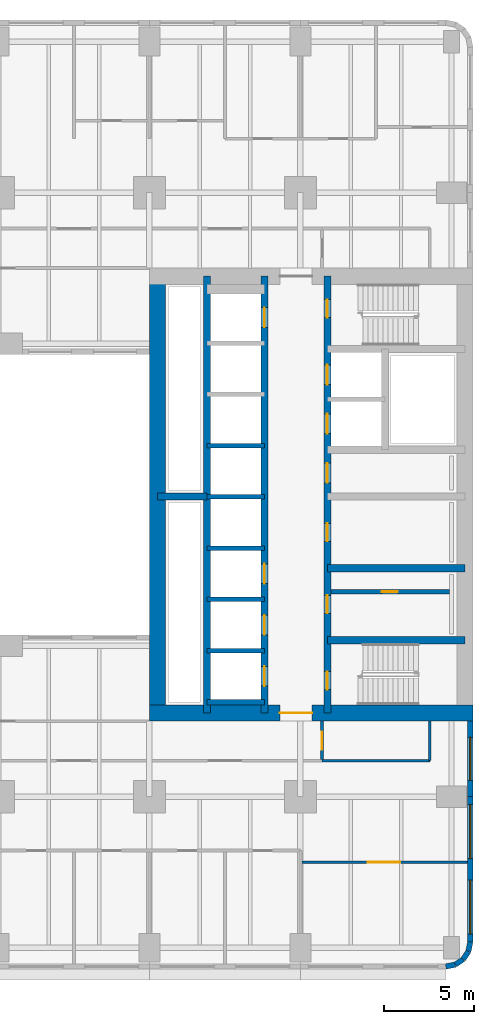
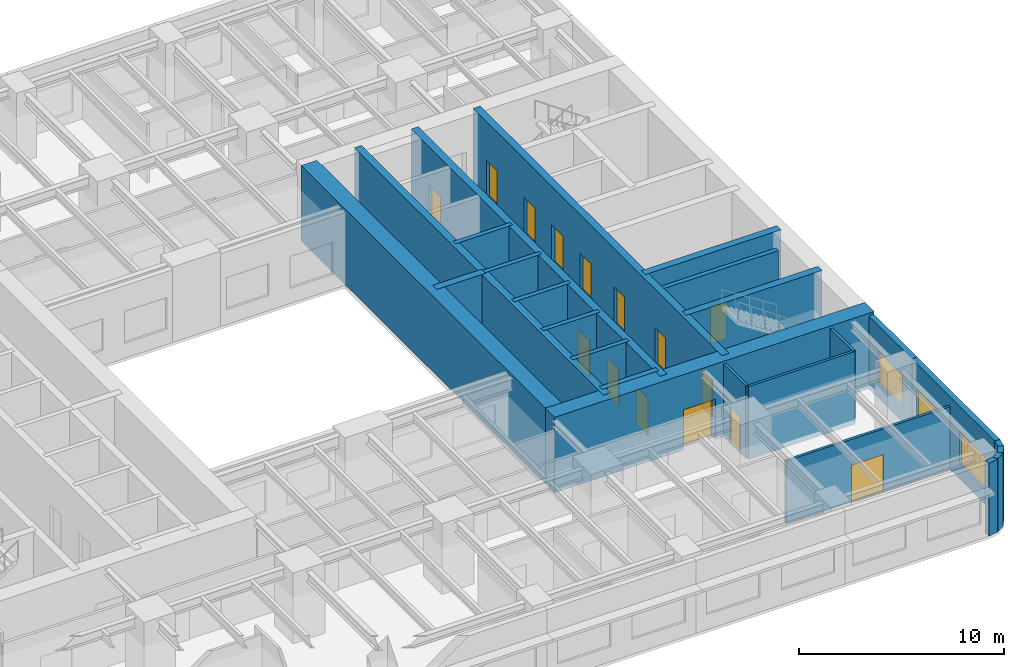
# One storey, part 5 of 14: 25 walls, 15 doors, 3 windows, 18 openings.
"""IFC4 building model written with IfcOpenShell, lengths in metres."""

from ifc_helpers import new_model, si_unit, direction, frame, frame_2d, origin, place, context, subcontext, project, spatial, rectangle, extrude, material, layer, layer_set, type_object, element, fill, save


model = new_model("IFC4")

# Units and contexts
model_context = context("Model", 3, precision=1e-05, world=origin(), true_north=direction((0.0, 1.0)))
body_context = subcontext(model_context, "Body", "Model", "MODEL_VIEW")
ifc_project = project(units=[si_unit("LENGTHUNIT", "METRE"), si_unit("AREAUNIT", "SQUARE_METRE"), si_unit("VOLUMEUNIT", "CUBIC_METRE"), si_unit("PLANEANGLEUNIT", "RADIAN"), si_unit("MASSUNIT", "GRAM", prefix="KILO")], contexts=[model_context])

# Site, building, storey
site_placement = place(None, origin())
site = spatial("IfcSite", under=ifc_project, at=site_placement, CompositionType="ELEMENT")
building_placement = place(site_placement, origin())
building = spatial("IfcBuilding", under=site, at=building_placement, Name="Claustro Exchange Tower", CompositionType="ELEMENT")
storey_placement = place(building_placement, frame((0.0, 0.0, 41.39990234375)))
storey = spatial("IfcBuildingStorey", under=building, at=storey_placement, Name="L09", CompositionType="ELEMENT", Elevation=41.39990234375)

# Wall, opening, door
ifc_material_1 = material(Name="Gypsum board on steel studs", Category="steel")
ifc_layer_1 = layer(ifc_material_1, 0.14990234375)
ifc_layer_set_1 = layer_set([ifc_layer_1], Name="Gypsum board on steel studs")
wall_type_1 = type_object("IfcWallType", Name="P1 150 plasterboard partition", PredefinedType="PARTITIONING", material=ifc_layer_set_1)
wall_1_placement = place(storey_placement, frame((42.073974609375, 4.75, 0.0), z_axis=(0.0, 0.0, 1.0), x_axis=(1.0, 0.0, 0.0)))
wall_1 = element("IfcWall", 1, at=wall_1_placement, inside=storey, type_object=wall_type_1, Name="Partition P1 L09", PredefinedType="PARTITIONING", context=body_context, shape_type="SweptSolid", body=[
    extrude(rectangle(XDim=9.22802734375, YDim=0.14990234375, at=frame_2d((4.614013671875, 0.0))), origin(), (0.0, 0.0, 1.0), 3.739990234375),
])
opening_1_placement = place(wall_1_placement, frame((3.676025390625, 0.0, 0.0)))
opening_1 = element("IfcOpeningElement", 2, at=opening_1_placement, cuts=wall_1, Name="Opening D2", PredefinedType="OPENING", context=body_context, shape_type="SweptSolid", body=[
    extrude(rectangle(XDim=1.800048828125, YDim=2.199951171875, at=frame_2d((0.89990234375, 1.10009765625))), frame((0.0, 0.0849609375, 0.0), z_axis=(0.0, -1.0, 0.0), x_axis=(1.0, 0.0, 0.0)), (0.0, 0.0, 1.0), 0.169921875),
])
ifc_material_2 = material(Name="Timber door, oak veneer", Category="wood")
door_type_1 = type_object("IfcDoorType", Name="D2 1800 x 2200 double door", OperationType="DOUBLE_DOOR_SINGLE_SWING", PredefinedType="DOOR", material=ifc_material_2)
door_1_placement = place(opening_1_placement, frame((1.800048828125, 0.0, 0.0), z_axis=(0.0, 0.0, 1.0), x_axis=(-1.0, 0.0, 0.0)))
door_1 = element("IfcDoor", 3, at=door_1_placement, inside=storey, type_object=door_type_1, Name="Double door D2 L09", OperationType="DOUBLE_DOOR_SINGLE_SWING", OverallHeight=2.199951171875, OverallWidth=1.800048828125, PredefinedType="DOOR", context=body_context, shape_type="SweptSolid", body=[
    extrude(rectangle(XDim=1.800048828125, YDim=2.199951171875, at=frame_2d((0.89990234375, 1.10009765625))), frame((0.0, 0.02490234375, 0.0), z_axis=(0.0, -1.0, 0.0), x_axis=(1.0, 0.0, 0.0)), (0.0, 0.0, 1.0), 0.050048828125),
])
fill(opening_1, door_1)

wall_2_placement = place(storey_placement, frame((43.199951171875, 10.47412109375, 0.0), z_axis=(0.0, 0.0, 1.0), x_axis=(0.0, 1.0, 0.0)))
wall_2 = element("IfcWall", 4, at=wall_2_placement, inside=storey, type_object=wall_type_1, Name="Partition P1 L09", PredefinedType="PARTITIONING", context=body_context, shape_type="SweptSolid", body=[
    extrude(rectangle(XDim=2.1279296875, YDim=0.14990234375, at=frame_2d((1.06396484375, 0.0))), origin(), (0.0, 0.0, 1.0), 4.340087890625),
])
opening_2_placement = place(wall_2_placement, frame((0.52587890625, 0.0, 0.0)))
opening_2 = element("IfcOpeningElement", 5, at=opening_2_placement, cuts=wall_2, Name="Opening D1", PredefinedType="OPENING", context=body_context, shape_type="SweptSolid", body=[
    extrude(rectangle(XDim=1.0, YDim=2.199951171875, at=frame_2d((0.5, 1.10009765625))), frame((0.0, 0.0849609375, 0.0), z_axis=(0.0, -1.0, 0.0), x_axis=(1.0, 0.0, 0.0)), (0.0, 0.0, 1.0), 0.169921875),
])
ifc_material_3 = material(Name="Timber door, oak veneer", Category="wood")
door_type_2 = type_object("IfcDoorType", Name="D1 1000 x 2200 single door", OperationType="SINGLE_SWING_LEFT", PredefinedType="DOOR", material=ifc_material_3)
door_2_placement = place(opening_2_placement, frame((1.0, 0.0, 0.0), z_axis=(0.0, 0.0, 1.0), x_axis=(-1.0, 0.0, 0.0)))
door_2 = element("IfcDoor", 6, at=door_2_placement, inside=storey, type_object=door_type_2, Name="Door D1 L09", OperationType="SINGLE_SWING_LEFT", OverallHeight=2.199951171875, OverallWidth=1.0, PredefinedType="DOOR", context=body_context, shape_type="SweptSolid", body=[
    extrude(rectangle(XDim=1.0, YDim=2.199951171875, at=frame_2d((0.5, 1.10009765625))), frame((0.0, 0.02490234375, 0.0), z_axis=(0.0, -1.0, 0.0), x_axis=(1.0, 0.0, 0.0)), (0.0, 0.0, 1.0), 0.050048828125),
])
fill(opening_2, door_2)

# Walls
wall_3_placement = place(storey_placement, frame((43.197998046875, 10.39990234375, 0.0), z_axis=(0.0, 0.0, 1.0), x_axis=(1.0, 0.0, 0.0)))
element("IfcWall", 7, at=wall_3_placement, inside=storey, type_object=wall_type_1, Name="Partition P1 L09", PredefinedType="PARTITIONING", context=body_context, shape_type="SweptSolid", body=[
    extrude(rectangle(XDim=6.001953125, YDim=0.14990234375, at=frame_2d((3.0009765625, 0.0))), origin(), (0.0, 0.0, 1.0), 4.340087890625),
])
wall_4_placement = place(storey_placement, frame((49.199951171875, 10.39990234375, 0.0), z_axis=(0.0, 0.0, 1.0), x_axis=(0.0, 1.0, 0.0)))
element("IfcWall", 8, at=wall_4_placement, inside=storey, type_object=wall_type_1, Name="Partition P1 L09", PredefinedType="PARTITIONING", context=body_context, shape_type="SweptSolid", body=[
    extrude(rectangle(XDim=2.2021484375, YDim=0.14990234375, at=frame_2d((1.10107421875, 0.0))), origin(), (0.0, 0.0, 1.0), 4.340087890625),
])

# Wall, opening, door
ifc_material_4 = material(Name="Concrete blockwork, rendered", Category="masonry")
ifc_layer_2 = layer(ifc_material_4, 0.25)
ifc_layer_set_2 = layer_set([ifc_layer_2], Name="Concrete blockwork, rendered")
wall_type_2 = type_object("IfcWallType", Name="P4 250 blockwork wall", PredefinedType="PARTITIONING", material=ifc_layer_set_2)
wall_5_placement = place(storey_placement, frame((43.699951171875, 19.800048828125, 0.0), z_axis=(0.0, 0.0, 1.0), x_axis=(1.0, 0.0, 0.0)))
wall_5 = element("IfcWall", 9, at=wall_5_placement, inside=storey, type_object=wall_type_2, Name="Partition P4 L09", PredefinedType="PARTITIONING", context=body_context, shape_type="SweptSolid", body=[
    extrude(rectangle(XDim=6.60009765625, YDim=0.25, at=frame_2d((3.300048828125, 0.0))), origin(), (0.0, 0.0, 1.0), 4.300048828125),
])
opening_3_placement = place(wall_5_placement, frame((2.824951171875, 0.0, 0.0)))
opening_3 = element("IfcOpeningElement", 10, at=opening_3_placement, cuts=wall_5, Name="Opening D5", PredefinedType="OPENING", context=body_context, shape_type="SweptSolid", body=[
    extrude(rectangle(XDim=0.89990234375, YDim=2.199951171875, at=frame_2d((0.449951171875, 1.10009765625))), frame((0.0, 0.135009765625, 0.0), z_axis=(0.0, -1.0, 0.0), x_axis=(1.0, 0.0, 0.0)), (0.0, 0.0, 1.0), 0.27001953125),
])
ifc_material_5 = material(Name="Steel door, painted", Category="steel")
door_type_3 = type_object("IfcDoorType", Name="D5 900 x 2200 store door", OperationType="SINGLE_SWING_LEFT", PredefinedType="DOOR", material=ifc_material_5)
door_3_placement = place(opening_3_placement, origin())
door_3 = element("IfcDoor", 11, at=door_3_placement, inside=storey, type_object=door_type_3, Name="Store door D5 L09", OperationType="SINGLE_SWING_RIGHT", OverallHeight=2.199951171875, OverallWidth=0.89990234375, PredefinedType="DOOR", context=body_context, shape_type="SweptSolid", body=[
    extrude(rectangle(XDim=0.89990234375, YDim=2.199951171875, at=frame_2d((0.449951171875, 1.10009765625))), frame((0.0, 0.02490234375, 0.0), z_axis=(0.0, -1.0, 0.0), x_axis=(1.0, 0.0, 0.0)), (0.0, 0.0, 1.0), 0.050048828125),
])
fill(opening_3, door_3)

# Wall, opening, window
ifc_material_6 = material(Name="Concrete HA-40 (C40/50), precast, white cement, acid-etched", Category="concrete")
ifc_layer_3 = layer(ifc_material_6, 0.300048828125)
ifc_layer_set_3 = layer_set([ifc_layer_3], Name="Concrete HA-40 (C40/50), precast, white cement, acid-etched")
wall_type_3 = type_object("IfcWallType", Name="PC1 300 precast concrete pier panel", PredefinedType="SOLIDWALL", material=ifc_layer_set_3)
wall_6_placement = place(storey_placement, frame((51.449951171875, 12.60009765625, 0.0), z_axis=(0.0, 0.0, 1.0), x_axis=(0.0, -1.0, 0.0)))
wall_6 = element("IfcWall", 12, at=wall_6_placement, inside=storey, type_object=wall_type_3, Name="Precast pier panel PC1 L09", PredefinedType="SOLIDWALL", context=body_context, shape_type="SweptSolid", body=[
    extrude(rectangle(XDim=4.2001953125, YDim=0.300048828125, at=frame_2d((2.10009765625, 0.0))), origin(), (0.0, 0.0, 1.0), 4.340087890625),
])
opening_4_placement = place(wall_6_placement, frame((0.89990234375, 0.0, 0.89990234375)))
opening_4 = element("IfcOpeningElement", 13, at=opening_4_placement, cuts=wall_6, Name="Opening W2", PredefinedType="OPENING", context=body_context, shape_type="SweptSolid", body=[
    extrude(rectangle(XDim=2.39990234375, YDim=1.89990234375, at=frame_2d((1.199951171875, 0.949951171875))), frame((0.0, 0.159912109375, 0.0), z_axis=(0.0, -1.0, 0.0), x_axis=(1.0, 0.0, 0.0)), (0.0, 0.0, 1.0), 0.320068359375),
])
ifc_material_7 = material(Name="Aluminium frame, clear double glazing", Category="aluminium")
window_type_1 = type_object("IfcWindowType", Name="W2 2400 x 1900 window", PartitioningType="SINGLE_PANEL", PredefinedType="WINDOW", material=ifc_material_7)
window_1_placement = place(opening_4_placement, origin())
window_1 = element("IfcWindow", 14, at=window_1_placement, inside=storey, type_object=window_type_1, Name="Window W2 L09", OverallHeight=1.89990234375, OverallWidth=2.39990234375, PartitioningType="SINGLE_PANEL", PredefinedType="WINDOW", context=body_context, shape_type="SweptSolid", body=[
    extrude(rectangle(XDim=2.39990234375, YDim=1.89990234375, at=frame_2d((1.199951171875, 0.949951171875))), frame((0.0, 0.030029296875, 0.0), z_axis=(0.0, -1.0, 0.0), x_axis=(1.0, 0.0, 0.0)), (0.0, 0.0, 1.0), 0.06005859375),
])
fill(opening_4, window_1)

# Wall, openings, windows
wall_7_placement = place(storey_placement, frame((51.449951171875, 8.39990234375, 0.0), z_axis=(0.0, 0.0, 1.0), x_axis=(0.0, -1.0, 0.0)))
wall_7 = element("IfcWall", 15, at=wall_7_placement, inside=storey, type_object=wall_type_3, Name="Precast pier panel PC1 L09", PredefinedType="SOLIDWALL", context=body_context, shape_type="SweptSolid", body=[
    extrude(rectangle(XDim=8.085205078125, YDim=0.300048828125, at=frame_2d((4.04248046875, 0.0))), origin(), (0.0, 0.0, 1.0), 4.340087890625),
])
opening_5_placement = place(wall_7_placement, frame((0.442626953125, 0.0, 0.89990234375)))
opening_5 = element("IfcOpeningElement", 16, at=opening_5_placement, cuts=wall_7, Name="Opening W1", PredefinedType="OPENING", context=body_context, shape_type="SweptSolid", body=[
    extrude(rectangle(XDim=3.0, YDim=1.89990234375, at=frame_2d((1.5, 0.949951171875))), frame((0.0, 0.159912109375, 0.0), z_axis=(0.0, -1.0, 0.0), x_axis=(1.0, 0.0, 0.0)), (0.0, 0.0, 1.0), 0.320068359375),
])
opening_6_placement = place(wall_7_placement, frame((4.642578125, 0.0, 0.89990234375)))
opening_6 = element("IfcOpeningElement", 17, at=opening_6_placement, cuts=wall_7, Name="Opening W1", PredefinedType="OPENING", context=body_context, shape_type="SweptSolid", body=[
    extrude(rectangle(XDim=3.0, YDim=1.89990234375, at=frame_2d((1.5, 0.949951171875))), frame((0.0, 0.159912109375, 0.0), z_axis=(0.0, -1.0, 0.0), x_axis=(1.0, 0.0, 0.0)), (0.0, 0.0, 1.0), 0.320068359375),
])
ifc_material_8 = material(Name="Aluminium frame, clear double glazing", Category="aluminium")
window_type_2 = type_object("IfcWindowType", Name="W1 3000 x 1900 window", PartitioningType="SINGLE_PANEL", PredefinedType="WINDOW", material=ifc_material_8)
window_2_placement = place(opening_5_placement, origin())
window_2 = element("IfcWindow", 18, at=window_2_placement, inside=storey, type_object=window_type_2, Name="Window W1 L09", OverallHeight=1.89990234375, OverallWidth=3.0, PartitioningType="SINGLE_PANEL", PredefinedType="WINDOW", context=body_context, shape_type="SweptSolid", body=[
    extrude(rectangle(XDim=3.0, YDim=1.89990234375, at=frame_2d((1.5, 0.949951171875))), frame((0.0, 0.030029296875, 0.0), z_axis=(0.0, -1.0, 0.0), x_axis=(1.0, 0.0, 0.0)), (0.0, 0.0, 1.0), 0.06005859375),
])
fill(opening_5, window_2)
window_3_placement = place(opening_6_placement, origin())
window_3 = element("IfcWindow", 19, at=window_3_placement, inside=storey, type_object=window_type_2, Name="Window W1 L09", OverallHeight=1.89990234375, OverallWidth=3.0, PartitioningType="SINGLE_PANEL", PredefinedType="WINDOW", context=body_context, shape_type="SweptSolid", body=[
    extrude(rectangle(XDim=3.0, YDim=1.89990234375, at=frame_2d((1.5, 0.949951171875))), frame((0.0, 0.030029296875, 0.0), z_axis=(0.0, -1.0, 0.0), x_axis=(1.0, 0.0, 0.0)), (0.0, 0.0, 1.0), 0.06005859375),
])
fill(opening_6, window_3)

# Walls
wall_8_placement = place(storey_placement, frame((51.449951171875, 0.314697265625, 0.0), z_axis=(0.0, 0.0, 1.0), x_axis=(-0.195073962632, -0.980788534345, 0.0)))
element("IfcWall", 20, at=wall_8_placement, inside=storey, type_object=wall_type_3, Name="Precast pier panel PC1 L09", PredefinedType="SOLIDWALL", context=body_context, shape_type="SweptSolid", body=[
    extrude(rectangle(XDim=0.540771484375, YDim=0.300048828125, at=frame_2d((0.2705078125, 0.0))), origin(), (0.0, 0.0, 1.0), 4.340087890625),
])
for number, where, z_axis, x_axis, name in (
    (21, (51.344482421875, -0.215576171875, 0.0), (0.0, 0.0, 1.0), (-0.555557463938, -0.831478144188, 0.0), "Precast pier panel PC1 L09"),
    (22, (51.052490234375, -0.652587890625, 0.0), (0.0, 0.0, 1.0), (-0.831478144188, -0.555557463938, 0.0), "Precast pier panel PC1 L09"),
):
    element("IfcWall", number, at=place(storey_placement, frame(where, z_axis=z_axis, x_axis=x_axis)), inside=storey, type_object=wall_type_3, Name=name, PredefinedType="SOLIDWALL", context=body_context, shape_type="SweptSolid", body=[
        extrude(rectangle(XDim=0.525634765625, YDim=0.300048828125, at=frame_2d((0.2626953125, 0.0))), origin(), (0.0, 0.0, 1.0), 4.340087890625),
    ])
wall_9_placement = place(storey_placement, frame((50.615478515625, -0.944580078125, 0.0), z_axis=(0.0, 0.0, 1.0), x_axis=(-0.980788534345, -0.195073962632, 0.0)))
element("IfcWall", 23, at=wall_9_placement, inside=storey, type_object=wall_type_3, Name="Precast pier panel PC1 L09", PredefinedType="SOLIDWALL", context=body_context, shape_type="SweptSolid", body=[
    extrude(rectangle(XDim=0.540771484375, YDim=0.300048828125, at=frame_2d((0.2705078125, 0.0))), origin(), (0.0, 0.0, 1.0), 4.340087890625),
])

# Wall, opening, door
ifc_material_9 = material(Name="Concrete HA-70 (C70/85)", Category="concrete")
ifc_layer_4 = layer(ifc_material_9, 0.89990234375)
ifc_layer_set_4 = layer_set([ifc_layer_4], Name="Concrete HA-70 (C70/85)")
wall_type_4 = type_object("IfcWallType", Name="SW1 900 core shear wall", PredefinedType="SHEAR", material=ifc_layer_set_4)
wall_10_placement = place(storey_placement, frame((33.60009765625, 13.050048828125, 0.0), z_axis=(0.0, 0.0, 1.0), x_axis=(1.0, 0.0, 0.0)))
wall_10 = element("IfcWall", 24, at=wall_10_placement, inside=storey, type_object=wall_type_4, Name="Core wall SW1 E core S face L09", PredefinedType="SHEAR", context=body_context, shape_type="SweptSolid", body=[
    extrude(rectangle(XDim=18.0, YDim=0.89990234375, at=frame_2d((9.0, 0.0))), origin(), (0.0, 0.0, 1.0), 4.5),
])
opening_7_placement = place(wall_10_placement, frame((7.25, 0.0, 0.0)))
opening_7 = element("IfcOpeningElement", 25, at=opening_7_placement, cuts=wall_10, Name="Opening D3", PredefinedType="OPENING", context=body_context, shape_type="SweptSolid", body=[
    extrude(rectangle(XDim=1.800048828125, YDim=2.39990234375, at=frame_2d((0.89990234375, 1.199951171875))), frame((0.0, 0.4599609375, 0.0), z_axis=(0.0, -1.0, 0.0), x_axis=(1.0, 0.0, 0.0)), (0.0, 0.0, 1.0), 0.919921875),
])
ifc_material_10 = material(Name="Steel fire door, painted", Category="steel")
door_type_4 = type_object("IfcDoorType", Name="D3 1800 x 2400 fire-rated lobby double door", OperationType="DOUBLE_DOOR_SINGLE_SWING", PredefinedType="DOOR", material=ifc_material_10)
door_4_placement = place(opening_7_placement, origin())
door_4 = element("IfcDoor", 26, at=door_4_placement, inside=storey, type_object=door_type_4, Name="Lift lobby door D3 L09", OperationType="DOUBLE_DOOR_SINGLE_SWING", OverallHeight=2.39990234375, OverallWidth=1.800048828125, PredefinedType="DOOR", context=body_context, shape_type="SweptSolid", body=[
    extrude(rectangle(XDim=1.800048828125, YDim=2.39990234375, at=frame_2d((0.89990234375, 1.199951171875))), frame((0.0, 0.02490234375, 0.0), z_axis=(0.0, -1.0, 0.0), x_axis=(1.0, 0.0, 0.0)), (0.0, 0.0, 1.0), 0.050048828125),
])
fill(opening_7, door_4)

# Wall
ifc_material_11 = material(Name="Concrete HA-70 (C70/85)", Category="concrete")
ifc_layer_5 = layer(ifc_material_11, 0.89990234375)
ifc_layer_set_5 = layer_set([ifc_layer_5], Name="Concrete HA-70 (C70/85)")
wall_type_5 = type_object("IfcWallType", Name="SW1X 900 exposed core shear wall, board-marked face", PredefinedType="SHEAR", material=ifc_layer_set_5)
wall_11_placement = place(storey_placement, frame((34.050048828125, 13.050048828125, 0.0), z_axis=(0.0, 0.0, 1.0), x_axis=(0.0, 1.0, 0.0)))
element("IfcWall", 27, at=wall_11_placement, inside=storey, type_object=wall_type_5, Name="Core wall SW1X E core W face L09", PredefinedType="SHEAR", context=body_context, shape_type="SweptSolid", body=[
    extrude(rectangle(XDim=24.300048828125, YDim=0.89990234375, at=frame_2d((12.14990234375, 0.0))), origin(), (0.0, 0.0, 1.0), 4.5),
])

# Wall, openings, doors
ifc_material_12 = material(Name="Concrete HA-50 (C50/60)", Category="concrete")
ifc_layer_6 = layer(ifc_material_12, 0.39990234375)
ifc_layer_set_6 = layer_set([ifc_layer_6], Name="Concrete HA-50 (C50/60)")
wall_type_6 = type_object("IfcWallType", Name="SW4 400 internal core wall", PredefinedType="SHEAR", material=ifc_layer_set_6)
wall_12_placement = place(storey_placement, frame((43.5, 13.050048828125, 0.0), z_axis=(0.0, 0.0, 1.0), x_axis=(0.0, 1.0, 0.0)))
wall_12 = element("IfcWall", 28, at=wall_12_placement, inside=storey, type_object=wall_type_6, Name="Internal core wall SW4 E core L09", PredefinedType="SHEAR", context=body_context, shape_type="SweptSolid", body=[
    extrude(rectangle(XDim=24.300048828125, YDim=0.39990234375, at=frame_2d((12.14990234375, 0.0))), origin(), (0.0, 0.0, 1.0), 4.5),
])
opening_8_placement = place(wall_12_placement, frame((1.300048828125, 0.0, 0.0)))
opening_8 = element("IfcOpeningElement", 29, at=opening_8_placement, cuts=wall_12, Name="Opening D4", PredefinedType="OPENING", context=body_context, shape_type="SweptSolid", body=[
    extrude(rectangle(XDim=1.0, YDim=2.199951171875, at=frame_2d((0.5, 1.10009765625))), frame((0.0, 0.2099609375, 0.0), z_axis=(0.0, -1.0, 0.0), x_axis=(1.0, 0.0, 0.0)), (0.0, 0.0, 1.0), 0.419921875),
])
opening_9_placement = place(wall_12_placement, frame((22.0, 0.0, 0.0)))
opening_9 = element("IfcOpeningElement", 30, at=opening_9_placement, cuts=wall_12, Name="Opening D4", PredefinedType="OPENING", context=body_context, shape_type="SweptSolid", body=[
    extrude(rectangle(XDim=1.0, YDim=2.199951171875, at=frame_2d((0.5, 1.10009765625))), frame((0.0, 0.2099609375, 0.0), z_axis=(0.0, -1.0, 0.0), x_axis=(1.0, 0.0, 0.0)), (0.0, 0.0, 1.0), 0.419921875),
])
opening_10_placement = place(wall_12_placement, frame((5.550048828125, 0.0, 0.0)))
opening_10 = element("IfcOpeningElement", 31, at=opening_10_placement, cuts=wall_12, Name="Opening D1", PredefinedType="OPENING", context=body_context, shape_type="SweptSolid", body=[
    extrude(rectangle(XDim=1.0, YDim=2.199951171875, at=frame_2d((0.5, 1.10009765625))), frame((0.0, 0.2099609375, 0.0), z_axis=(0.0, -1.0, 0.0), x_axis=(1.0, 0.0, 0.0)), (0.0, 0.0, 1.0), 0.419921875),
])
opening_11_placement = place(wall_12_placement, frame((9.550048828125, 0.0, 0.0)))
opening_11 = element("IfcOpeningElement", 32, at=opening_11_placement, cuts=wall_12, Name="Opening D1", PredefinedType="OPENING", context=body_context, shape_type="SweptSolid", body=[
    extrude(rectangle(XDim=1.0, YDim=2.199951171875, at=frame_2d((0.5, 1.10009765625))), frame((0.0, 0.2099609375, 0.0), z_axis=(0.0, -1.0, 0.0), x_axis=(1.0, 0.0, 0.0)), (0.0, 0.0, 1.0), 0.419921875),
])
opening_12_placement = place(wall_12_placement, frame((12.800048828125, 0.0, 0.0)))
opening_12 = element("IfcOpeningElement", 33, at=opening_12_placement, cuts=wall_12, Name="Opening D10", PredefinedType="OPENING", context=body_context, shape_type="SweptSolid", body=[
    extrude(rectangle(XDim=1.10009765625, YDim=2.199951171875, at=frame_2d((0.550048828125, 1.10009765625))), frame((0.0, 0.2099609375, 0.0), z_axis=(0.0, -1.0, 0.0), x_axis=(1.0, 0.0, 0.0)), (0.0, 0.0, 1.0), 0.419921875),
])
opening_13_placement = place(wall_12_placement, frame((15.53759765625, 0.0, 0.0)))
opening_13 = element("IfcOpeningElement", 34, at=opening_13_placement, cuts=wall_12, Name="Opening LD", PredefinedType="OPENING", context=body_context, shape_type="SweptSolid", body=[
    extrude(rectangle(XDim=1.10009765625, YDim=2.199951171875, at=frame_2d((0.550048828125, 1.10009765625))), frame((0.0, 0.2099609375, 0.0), z_axis=(0.0, -1.0, 0.0), x_axis=(1.0, 0.0, 0.0)), (0.0, 0.0, 1.0), 0.419921875),
])
opening_14_placement = place(wall_12_placement, frame((18.262451171875, 0.0, 0.0)))
opening_14 = element("IfcOpeningElement", 35, at=opening_14_placement, cuts=wall_12, Name="Opening LD", PredefinedType="OPENING", context=body_context, shape_type="SweptSolid", body=[
    extrude(rectangle(XDim=1.10009765625, YDim=2.199951171875, at=frame_2d((0.550048828125, 1.10009765625))), frame((0.0, 0.2099609375, 0.0), z_axis=(0.0, -1.0, 0.0), x_axis=(1.0, 0.0, 0.0)), (0.0, 0.0, 1.0), 0.419921875),
])
door_5_placement = place(opening_10_placement, frame((1.0, 0.0, 0.0), z_axis=(0.0, 0.0, 1.0), x_axis=(-1.0, 0.0, 0.0)))
door_5 = element("IfcDoor", 36, at=door_5_placement, inside=storey, type_object=door_type_2, Name="Door D1 L09", OperationType="SINGLE_SWING_LEFT", OverallHeight=2.199951171875, OverallWidth=1.0, PredefinedType="DOOR", context=body_context, shape_type="SweptSolid", body=[
    extrude(rectangle(XDim=1.0, YDim=2.199951171875, at=frame_2d((0.5, 1.10009765625))), frame((0.0, 0.02490234375, 0.0), z_axis=(0.0, -1.0, 0.0), x_axis=(1.0, 0.0, 0.0)), (0.0, 0.0, 1.0), 0.050048828125),
])
fill(opening_10, door_5)
door_6_placement = place(opening_11_placement, frame((1.0, 0.0, 0.0), z_axis=(0.0, 0.0, 1.0), x_axis=(-1.0, 0.0, 0.0)))
door_6 = element("IfcDoor", 37, at=door_6_placement, inside=storey, type_object=door_type_2, Name="Door D1 L09", OperationType="SINGLE_SWING_LEFT", OverallHeight=2.199951171875, OverallWidth=1.0, PredefinedType="DOOR", context=body_context, shape_type="SweptSolid", body=[
    extrude(rectangle(XDim=1.0, YDim=2.199951171875, at=frame_2d((0.5, 1.10009765625))), frame((0.0, 0.02490234375, 0.0), z_axis=(0.0, -1.0, 0.0), x_axis=(1.0, 0.0, 0.0)), (0.0, 0.0, 1.0), 0.050048828125),
])
fill(opening_11, door_6)
ifc_material_13 = material(Name="Timber door, oak veneer", Category="wood")
door_type_5 = type_object("IfcDoorType", Name="D10 1100 x 2200 accessible WC door", OperationType="SINGLE_SWING_LEFT", PredefinedType="DOOR", material=ifc_material_13)
door_7_placement = place(opening_12_placement, origin())
door_7 = element("IfcDoor", 38, at=door_7_placement, inside=storey, type_object=door_type_5, Name="Accessible WC door D10 L09", OperationType="SINGLE_SWING_RIGHT", OverallHeight=2.199951171875, OverallWidth=1.10009765625, PredefinedType="DOOR", context=body_context, shape_type="SweptSolid", body=[
    extrude(rectangle(XDim=1.10009765625, YDim=2.199951171875, at=frame_2d((0.550048828125, 1.10009765625))), frame((0.0, 0.02490234375, 0.0), z_axis=(0.0, -1.0, 0.0), x_axis=(1.0, 0.0, 0.0)), (0.0, 0.0, 1.0), 0.050048828125),
])
fill(opening_12, door_7)
ifc_material_14 = material(Name="Steel fire door, painted", Category="steel")
door_type_6 = type_object("IfcDoorType", Name="D4 1000 x 2200 fire-rated stair door", OperationType="SINGLE_SWING_LEFT", PredefinedType="DOOR", material=ifc_material_14)
door_8_placement = place(opening_8_placement, frame((1.0, 0.0, 0.0), z_axis=(0.0, 0.0, 1.0), x_axis=(-1.0, 0.0, 0.0)))
door_8 = element("IfcDoor", 39, at=door_8_placement, inside=storey, type_object=door_type_6, Name="Stair door D4 L09", OperationType="SINGLE_SWING_RIGHT", OverallHeight=2.199951171875, OverallWidth=1.0, PredefinedType="DOOR", context=body_context, shape_type="SweptSolid", body=[
    extrude(rectangle(XDim=1.0, YDim=2.199951171875, at=frame_2d((0.5, 1.10009765625))), frame((0.0, 0.02490234375, 0.0), z_axis=(0.0, -1.0, 0.0), x_axis=(1.0, 0.0, 0.0)), (0.0, 0.0, 1.0), 0.050048828125),
])
fill(opening_8, door_8)
door_9_placement = place(opening_9_placement, frame((1.0, 0.0, 0.0), z_axis=(0.0, 0.0, 1.0), x_axis=(-1.0, 0.0, 0.0)))
door_9 = element("IfcDoor", 40, at=door_9_placement, inside=storey, type_object=door_type_6, Name="Stair door D4 L09", OperationType="SINGLE_SWING_LEFT", OverallHeight=2.199951171875, OverallWidth=1.0, PredefinedType="DOOR", context=body_context, shape_type="SweptSolid", body=[
    extrude(rectangle(XDim=1.0, YDim=2.199951171875, at=frame_2d((0.5, 1.10009765625))), frame((0.0, 0.02490234375, 0.0), z_axis=(0.0, -1.0, 0.0), x_axis=(1.0, 0.0, 0.0)), (0.0, 0.0, 1.0), 0.050048828125),
])
fill(opening_9, door_9)
ifc_material_15 = material(Name="Stainless steel sliding door", Category="steel")
door_type_7 = type_object("IfcDoorType", Name="LD 1100 x 2200 lift landing door", OperationType="DOUBLE_DOOR_SLIDING", PredefinedType="DOOR", material=ifc_material_15)
door_10_placement = place(opening_13_placement, origin())
door_10 = element("IfcDoor", 41, at=door_10_placement, inside=storey, type_object=door_type_7, Name="Lift landing door LEE1 LD L09", OperationType="DOUBLE_DOOR_SLIDING", OverallHeight=2.199951171875, OverallWidth=1.10009765625, PredefinedType="DOOR", context=body_context, shape_type="SweptSolid", body=[
    extrude(rectangle(XDim=1.10009765625, YDim=2.199951171875, at=frame_2d((0.550048828125, 1.10009765625))), frame((0.0, 0.02490234375, 0.0), z_axis=(0.0, -1.0, 0.0), x_axis=(1.0, 0.0, 0.0)), (0.0, 0.0, 1.0), 0.050048828125),
])
fill(opening_13, door_10)
door_11_placement = place(opening_14_placement, origin())
door_11 = element("IfcDoor", 42, at=door_11_placement, inside=storey, type_object=door_type_7, Name="Lift landing door LEE2 LD L09", OperationType="DOUBLE_DOOR_SLIDING", OverallHeight=2.199951171875, OverallWidth=1.10009765625, PredefinedType="DOOR", context=body_context, shape_type="SweptSolid", body=[
    extrude(rectangle(XDim=1.10009765625, YDim=2.199951171875, at=frame_2d((0.550048828125, 1.10009765625))), frame((0.0, 0.02490234375, 0.0), z_axis=(0.0, -1.0, 0.0), x_axis=(1.0, 0.0, 0.0)), (0.0, 0.0, 1.0), 0.050048828125),
])
fill(opening_14, door_11)

wall_13_placement = place(storey_placement, frame((40.0, 13.050048828125, 0.0), z_axis=(0.0, 0.0, 1.0), x_axis=(0.0, 1.0, 0.0)))
wall_13 = element("IfcWall", 43, at=wall_13_placement, inside=storey, type_object=wall_type_6, Name="Internal core wall SW4 E core L09", PredefinedType="SHEAR", context=body_context, shape_type="SweptSolid", body=[
    extrude(rectangle(XDim=24.300048828125, YDim=0.39990234375, at=frame_2d((12.14990234375, 0.0))), origin(), (0.0, 0.0, 1.0), 4.5),
])
opening_15_placement = place(wall_13_placement, frame((1.5, 0.0, 0.0)))
opening_15 = element("IfcOpeningElement", 44, at=opening_15_placement, cuts=wall_13, Name="Opening LD", PredefinedType="OPENING", context=body_context, shape_type="SweptSolid", body=[
    extrude(rectangle(XDim=1.10009765625, YDim=2.199951171875, at=frame_2d((0.550048828125, 1.10009765625))), frame((0.0, 0.2099609375, 0.0), z_axis=(0.0, -1.0, 0.0), x_axis=(1.0, 0.0, 0.0)), (0.0, 0.0, 1.0), 0.419921875),
])
opening_16_placement = place(wall_13_placement, frame((4.35009765625, 0.0, 0.0)))
opening_16 = element("IfcOpeningElement", 45, at=opening_16_placement, cuts=wall_13, Name="Opening LD", PredefinedType="OPENING", context=body_context, shape_type="SweptSolid", body=[
    extrude(rectangle(XDim=1.10009765625, YDim=2.199951171875, at=frame_2d((0.550048828125, 1.10009765625))), frame((0.0, 0.2099609375, 0.0), z_axis=(0.0, -1.0, 0.0), x_axis=(1.0, 0.0, 0.0)), (0.0, 0.0, 1.0), 0.419921875),
])
opening_17_placement = place(wall_13_placement, frame((7.199951171875, 0.0, 0.0)))
opening_17 = element("IfcOpeningElement", 46, at=opening_17_placement, cuts=wall_13, Name="Opening LD", PredefinedType="OPENING", context=body_context, shape_type="SweptSolid", body=[
    extrude(rectangle(XDim=1.10009765625, YDim=2.199951171875, at=frame_2d((0.550048828125, 1.10009765625))), frame((0.0, 0.2099609375, 0.0), z_axis=(0.0, -1.0, 0.0), x_axis=(1.0, 0.0, 0.0)), (0.0, 0.0, 1.0), 0.419921875),
])
opening_18_placement = place(wall_13_placement, frame((21.449951171875, 0.0, 0.0)))
opening_18 = element("IfcOpeningElement", 47, at=opening_18_placement, cuts=wall_13, Name="Opening LD", PredefinedType="OPENING", context=body_context, shape_type="SweptSolid", body=[
    extrude(rectangle(XDim=1.10009765625, YDim=2.199951171875, at=frame_2d((0.550048828125, 1.10009765625))), frame((0.0, 0.2099609375, 0.0), z_axis=(0.0, -1.0, 0.0), x_axis=(1.0, 0.0, 0.0)), (0.0, 0.0, 1.0), 0.419921875),
])
door_12_placement = place(opening_15_placement, origin())
door_12 = element("IfcDoor", 48, at=door_12_placement, inside=storey, type_object=door_type_7, Name="Lift landing door LLE1 LD L09", OperationType="DOUBLE_DOOR_SLIDING", OverallHeight=2.199951171875, OverallWidth=1.10009765625, PredefinedType="DOOR", context=body_context, shape_type="SweptSolid", body=[
    extrude(rectangle(XDim=1.10009765625, YDim=2.199951171875, at=frame_2d((0.550048828125, 1.10009765625))), frame((0.0, 0.02490234375, 0.0), z_axis=(0.0, -1.0, 0.0), x_axis=(1.0, 0.0, 0.0)), (0.0, 0.0, 1.0), 0.050048828125),
])
fill(opening_15, door_12)
door_13_placement = place(opening_16_placement, origin())
door_13 = element("IfcDoor", 49, at=door_13_placement, inside=storey, type_object=door_type_7, Name="Lift landing door LLE2 LD L09", OperationType="DOUBLE_DOOR_SLIDING", OverallHeight=2.199951171875, OverallWidth=1.10009765625, PredefinedType="DOOR", context=body_context, shape_type="SweptSolid", body=[
    extrude(rectangle(XDim=1.10009765625, YDim=2.199951171875, at=frame_2d((0.550048828125, 1.10009765625))), frame((0.0, 0.02490234375, 0.0), z_axis=(0.0, -1.0, 0.0), x_axis=(1.0, 0.0, 0.0)), (0.0, 0.0, 1.0), 0.050048828125),
])
fill(opening_16, door_13)
door_14_placement = place(opening_17_placement, origin())
door_14 = element("IfcDoor", 50, at=door_14_placement, inside=storey, type_object=door_type_7, Name="Lift landing door LLE3 LD L09", OperationType="DOUBLE_DOOR_SLIDING", OverallHeight=2.199951171875, OverallWidth=1.10009765625, PredefinedType="DOOR", context=body_context, shape_type="SweptSolid", body=[
    extrude(rectangle(XDim=1.10009765625, YDim=2.199951171875, at=frame_2d((0.550048828125, 1.10009765625))), frame((0.0, 0.02490234375, 0.0), z_axis=(0.0, -1.0, 0.0), x_axis=(1.0, 0.0, 0.0)), (0.0, 0.0, 1.0), 0.050048828125),
])
fill(opening_17, door_14)
door_15_placement = place(opening_18_placement, origin())
door_15 = element("IfcDoor", 51, at=door_15_placement, inside=storey, type_object=door_type_7, Name="Lift landing door LSE1 LD L09", OperationType="DOUBLE_DOOR_SLIDING", OverallHeight=2.199951171875, OverallWidth=1.10009765625, PredefinedType="DOOR", context=body_context, shape_type="SweptSolid", body=[
    extrude(rectangle(XDim=1.10009765625, YDim=2.199951171875, at=frame_2d((0.550048828125, 1.10009765625))), frame((0.0, 0.02490234375, 0.0), z_axis=(0.0, -1.0, 0.0), x_axis=(1.0, 0.0, 0.0)), (0.0, 0.0, 1.0), 0.050048828125),
])
fill(opening_18, door_15)

# Walls
wall_14_placement = place(storey_placement, frame((36.800048828125, 13.050048828125, 0.0), z_axis=(0.0, 0.0, 1.0), x_axis=(0.0, 1.0, 0.0)))
element("IfcWall", 52, at=wall_14_placement, inside=storey, type_object=wall_type_6, Name="Internal core wall SW4 E core L09", PredefinedType="SHEAR", context=body_context, shape_type="SweptSolid", body=[
    extrude(rectangle(XDim=24.300048828125, YDim=0.39990234375, at=frame_2d((12.14990234375, 0.0))), origin(), (0.0, 0.0, 1.0), 4.5),
])
for number, where, z_axis, x_axis, name in (
    (53, (51.14990234375, 17.10009765625, 0.0), (0.0, 0.0, 1.0), (-1.0, 0.0, 0.0), "Internal core wall SW4 E core L09"),
    (54, (51.14990234375, 21.10009765625, 0.0), (0.0, 0.0, 1.0), (-1.0, 0.0, 0.0), "Internal core wall SW4 E core L09"),
):
    element("IfcWall", number, at=place(storey_placement, frame(where, z_axis=z_axis, x_axis=x_axis)), inside=storey, type_object=wall_type_6, Name=name, PredefinedType="SHEAR", context=body_context, shape_type="SweptSolid", body=[
        extrude(rectangle(XDim=7.64990234375, YDim=0.39990234375, at=frame_2d((3.824951171875, 0.0))), origin(), (0.0, 0.0, 1.0), 4.5),
    ])
wall_15_placement = place(storey_placement, frame((36.800048828125, 25.10009765625, 0.0), z_axis=(0.0, 0.0, 1.0), x_axis=(-1.0, 0.0, 0.0)))
element("IfcWall", 55, at=wall_15_placement, inside=storey, type_object=wall_type_6, Name="Internal core wall SW4 E core L09", PredefinedType="SHEAR", context=body_context, shape_type="SweptSolid", body=[
    extrude(rectangle(XDim=2.75, YDim=0.39990234375, at=frame_2d((1.375, 0.0))), origin(), (0.0, 0.0, 1.0), 4.5),
])
ifc_material_16 = material(Name="Concrete HA-50 (C50/60)", Category="concrete")
ifc_layer_7 = layer(ifc_material_16, 0.25)
ifc_layer_set_7 = layer_set([ifc_layer_7], Name="Concrete HA-50 (C50/60)")
wall_type_7 = type_object("IfcWallType", Name="SW5 250 lift shaft divider wall", PredefinedType="SHEAR", material=ifc_layer_set_7)
for number, where, z_axis, x_axis, name in (
    (56, (40.0, 16.52490234375, 0.0), (0.0, 0.0, 1.0), (-1.0, 0.0, 0.0), "Lift shaft wall E core L09"),
    (57, (40.0, 19.375, 0.0), (0.0, 0.0, 1.0), (-1.0, 0.0, 0.0), "Lift shaft wall E core L09"),
    (58, (40.0, 22.22509765625, 0.0), (0.0, 0.0, 1.0), (-1.0, 0.0, 0.0), "Lift shaft wall E core L09"),
    (59, (40.0, 25.074951171875, 0.0), (0.0, 0.0, 1.0), (-1.0, 0.0, 0.0), "Lift shaft wall E core L09"),
    (60, (40.0, 27.925048828125, 0.0), (0.0, 0.0, 1.0), (-1.0, 0.0, 0.0), "Lift shaft wall E core L09"),
):
    element("IfcWall", number, at=place(storey_placement, frame(where, z_axis=z_axis, x_axis=x_axis)), inside=storey, type_object=wall_type_7, Name=name, PredefinedType="SHEAR", context=body_context, shape_type="SweptSolid", body=[
        extrude(rectangle(XDim=3.199951171875, YDim=0.25, at=frame_2d((1.60009765625, 0.0))), origin(), (0.0, 0.0, 1.0), 4.5),
    ])
ifc_material_17 = material(Name="Concrete HA-50 (C50/60)", Category="concrete")
ifc_layer_8 = layer(ifc_material_17, 0.300048828125)
ifc_layer_set_8 = layer_set([ifc_layer_8], Name="Concrete HA-50 (C50/60)")
wall_type_8 = type_object("IfcWallType", Name="SW6A 300 lift shaft end wall", PredefinedType="SHEAR", material=ifc_layer_set_8)
wall_16_placement = place(storey_placement, frame((40.0, 13.64990234375, 0.0), z_axis=(0.0, 0.0, 1.0), x_axis=(-1.0, 0.0, 0.0)))
element("IfcWall", 61, at=wall_16_placement, inside=storey, type_object=wall_type_8, Name="Lift shaft wall E core L09", PredefinedType="SHEAR", context=body_context, shape_type="SweptSolid", body=[
    extrude(rectangle(XDim=3.199951171875, YDim=0.300048828125, at=frame_2d((1.60009765625, 0.0))), origin(), (0.0, 0.0, 1.0), 4.5),
])

save(model, "model.ifc")
